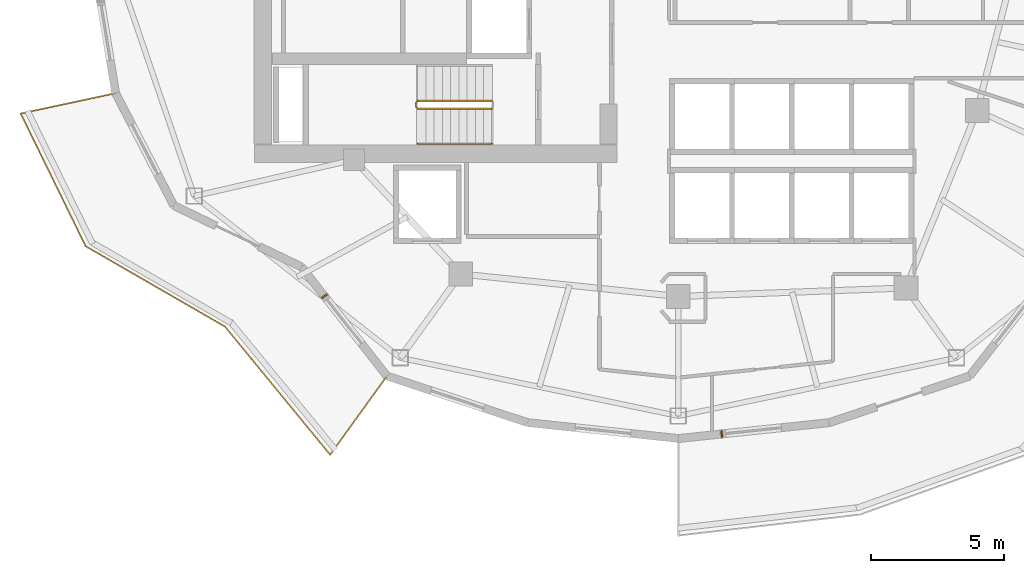
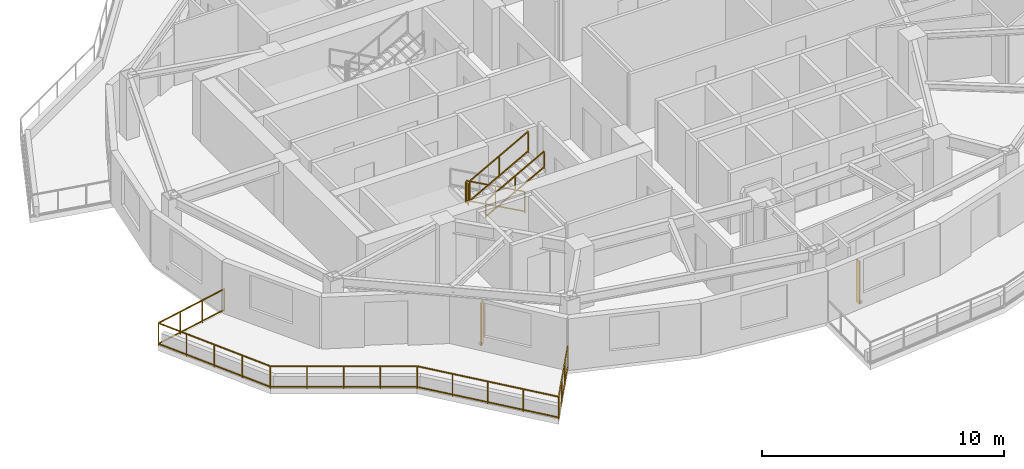
# One storey, part 10 of 13: 5 railings, 2 shading devices.
"""IFC4 building model written with IfcOpenShell, lengths in metres."""

from ifc_helpers import new_model, si_unit, direction, frame, origin, origin_2d, place, context, subcontext, project, spatial, rectangle, extrude, material, type_object, element, save


model = new_model("IFC4")

# Units and contexts
model_context = context("Model", 3, precision=1e-05, world=origin(), true_north=direction((0.0, 1.0)))
body_context = subcontext(model_context, "Body", "Model", "MODEL_VIEW")
ifc_project = project(units=[si_unit("LENGTHUNIT", "METRE"), si_unit("AREAUNIT", "SQUARE_METRE"), si_unit("VOLUMEUNIT", "CUBIC_METRE"), si_unit("PLANEANGLEUNIT", "RADIAN"), si_unit("MASSUNIT", "GRAM", prefix="KILO")], contexts=[model_context])

# Site, building, storey
site_placement = place(None, origin())
site = spatial("IfcSite", under=ifc_project, at=site_placement, CompositionType="ELEMENT")
building_placement = place(site_placement, origin())
building = spatial("IfcBuilding", under=site, at=building_placement, Name="Kolvaren Gate Tower and Convention Centre", CompositionType="ELEMENT")
storey_placement = place(building_placement, frame((0.0, 0.0, 183.5)))
storey = spatial("IfcBuildingStorey", under=building, at=storey_placement, Name="L48", CompositionType="ELEMENT", Elevation=183.5)

# Railings
ifc_material_1 = material(Name="Brushed Stainless Steel Grade 316L", Category="steel")
railing_type_1 = type_object("IfcRailingType", Name="ARCH-RL-GUARD-1150", PredefinedType="GUARDRAIL", material=ifc_material_1)
railing_1_placement = place(storey_placement, frame((23.10009765625, 22.169921875, 0.169921875)))
element("IfcRailing", 1, at=railing_1_placement, inside=storey, type_object=railing_type_1, Name="L48 ST-T2 stair guard 1", PredefinedType="GUARDRAIL", context=body_context, shape_type="SweptSolid", body=[
    extrude(rectangle(XDim=0.048095703125, YDim=0.048095703125, at=origin_2d()), frame((0.0, 0.0, 1.076171875), z_axis=(-0.876811365212, 0.0, 0.480834513982), x_axis=(0.0, -1.0, 0.0)), (0.0, 0.0, 1.0), 3.18212890625),
    extrude(rectangle(XDim=0.048095703125, YDim=0.048095703125, at=origin_2d()), frame((0.0, 0.0, 0.083984375), z_axis=(-0.876811365212, 0.0, 0.480834513982), x_axis=(0.0, -1.0, 0.0)), (0.0, 0.0, 1.0), 3.18212890625),
    extrude(rectangle(XDim=0.0419921875, YDim=0.0419921875, at=origin_2d()), origin(), (0.0, 0.0, 1.0), 1.050048828125),
    extrude(rectangle(XDim=0.0419921875, YDim=0.0419921875, at=origin_2d()), frame((-2.7900390625, 0.0, 1.530029296875)), (0.0, 0.0, 1.0), 1.050048828125),
    extrude(rectangle(XDim=0.0419921875, YDim=0.0419921875, at=origin_2d()), frame((-1.39501953125, 0.0, 0.76513671875)), (0.0, 0.0, 1.0), 1.050048828125),
])
railing_2_placement = place(storey_placement, frame((20.260009765625, 22.1201171875, 1.699951171875)))
element("IfcRailing", 2, at=railing_2_placement, inside=storey, type_object=railing_type_1, Name="L48 ST-T2 stair guard 2", PredefinedType="GUARDRAIL", context=body_context, shape_type="SweptSolid", body=[
    extrude(rectangle(XDim=0.048095703125, YDim=0.048095703125, at=origin_2d()), frame((0.0, 0.0, 1.076171875), z_axis=(0.0, -1.0, 0.0), x_axis=(1.0, 0.0, 0.0)), (0.0, 0.0, 1.0), 0.2001953125),
    extrude(rectangle(XDim=0.048095703125, YDim=0.048095703125, at=origin_2d()), frame((0.0, 0.0, 0.083984375), z_axis=(0.0, -1.0, 0.0), x_axis=(1.0, 0.0, 0.0)), (0.0, 0.0, 1.0), 0.2001953125),
    extrude(rectangle(XDim=0.0419921875, YDim=0.0419921875, at=origin_2d()), origin(), (0.0, 0.0, 1.0), 1.050048828125),
    extrude(rectangle(XDim=0.0419921875, YDim=0.0419921875, at=origin_2d()), frame((0.0, -0.2001953125, 0.0)), (0.0, 0.0, 1.0), 1.050048828125),
])
railing_3_placement = place(storey_placement, frame((20.31005859375, 21.8701171875, 1.8701171875)))
element("IfcRailing", 3, at=railing_3_placement, inside=storey, type_object=railing_type_1, Name="L48 ST-T2 stair guard 3", PredefinedType="GUARDRAIL", context=body_context, shape_type="SweptSolid", body=[
    extrude(rectangle(XDim=0.048095703125, YDim=0.048095703125, at=origin_2d()), frame((0.0, 0.0, 1.076171875), z_axis=(0.876843711699, 0.0, 0.480775524808), x_axis=(0.0, 1.0, 0.0)), (0.0, 0.0, 1.0), 3.181884765625),
    extrude(rectangle(XDim=0.048095703125, YDim=0.048095703125, at=origin_2d()), frame((0.0, 0.0, 0.083984375), z_axis=(0.876843711699, 0.0, 0.480775524808), x_axis=(0.0, 1.0, 0.0)), (0.0, 0.0, 1.0), 3.181884765625),
    extrude(rectangle(XDim=0.0419921875, YDim=0.0419921875, at=origin_2d()), origin(), (0.0, 0.0, 1.0), 1.050048828125),
    extrude(rectangle(XDim=0.0419921875, YDim=0.0419921875, at=origin_2d()), frame((2.7900390625, 0.0, 1.52978515625)), (0.0, 0.0, 1.0), 1.050048828125),
    extrude(rectangle(XDim=0.0419921875, YDim=0.0419921875, at=origin_2d()), frame((1.39501953125, 0.0, 0.764892578125)), (0.0, 0.0, 1.0), 1.050048828125),
])
railing_4_placement = place(storey_placement, frame((8.93505859375, 22.457763671875, 0.0)))
element("IfcRailing", 4, at=railing_4_placement, inside=storey, type_object=railing_type_1, Name="Tower L48 Terrace Perimeter Guardrail GR-2", PredefinedType="GUARDRAIL", context=body_context, shape_type="SweptSolid", body=[
    extrude(rectangle(XDim=0.048095703125, YDim=0.048095703125, at=origin_2d()), frame((-0.02734375, -0.005859375, 1.1259765625), z_axis=(-0.977791675321, -0.209579196661, 0.0), x_axis=(0.209579196661, -0.977791675321, 0.0)), (0.0, 0.0, 1.0), 3.60400390625),
    extrude(rectangle(XDim=0.048095703125, YDim=0.048095703125, at=origin_2d()), frame((-0.02734375, -0.005859375, 0.083984375), z_axis=(-0.977791675321, -0.209579196661, 0.0), x_axis=(0.209579196661, -0.977791675321, 0.0)), (0.0, 0.0, 1.0), 3.60400390625),
    extrude(rectangle(XDim=0.048095703125, YDim=0.048095703125, at=origin_2d()), frame((-3.56640625, -0.792236328125, 1.1259765625), z_axis=(0.439655234701, -0.898166618507, 0.0), x_axis=(0.898166618507, 0.439655234701, 0.0)), (0.0, 0.0, 1.0), 5.51123046875),
    extrude(rectangle(XDim=0.048095703125, YDim=0.048095703125, at=origin_2d()), frame((-3.56640625, -0.792236328125, 0.083984375), z_axis=(0.439655234701, -0.898166618507, 0.0), x_axis=(0.898166618507, 0.439655234701, 0.0)), (0.0, 0.0, 1.0), 5.51123046875),
    extrude(rectangle(XDim=0.048095703125, YDim=0.048095703125, at=origin_2d()), frame((-1.10693359375, -5.781494140625, 1.1259765625), z_axis=(0.866075571306, -0.499913097234, 0.0), x_axis=(0.499913097234, 0.866075571306, 0.0)), (0.0, 0.0, 1.0), 6.004150390625),
    extrude(rectangle(XDim=0.048095703125, YDim=0.048095703125, at=origin_2d()), frame((-1.10693359375, -5.781494140625, 0.083984375), z_axis=(0.866075571306, -0.499913097234, 0.0), x_axis=(0.499913097234, 0.866075571306, 0.0)), (0.0, 0.0, 1.0), 6.004150390625),
    extrude(rectangle(XDim=0.048095703125, YDim=0.048095703125, at=origin_2d()), frame((4.13525390625, -8.81884765625, 1.1259765625), z_axis=(0.634429234628, -0.77298094818, 0.0), x_axis=(0.77298094818, 0.634429234628, 0.0)), (0.0, 0.0, 1.0), 6.188720703125),
    extrude(rectangle(XDim=0.048095703125, YDim=0.048095703125, at=origin_2d()), frame((4.13525390625, -8.81884765625, 0.083984375), z_axis=(0.634429234628, -0.77298094818, 0.0), x_axis=(0.77298094818, 0.634429234628, 0.0)), (0.0, 0.0, 1.0), 6.188720703125),
    extrude(rectangle(XDim=0.048095703125, YDim=0.048095703125, at=origin_2d()), frame((8.095703125, -13.6015625, 1.1259765625), z_axis=(0.585212870465, 0.810879705161, 0.0), x_axis=(-0.810879705161, 0.585212870465, 0.0)), (0.0, 0.0, 1.0), 3.603759765625),
    extrude(rectangle(XDim=0.048095703125, YDim=0.048095703125, at=origin_2d()), frame((8.095703125, -13.6015625, 0.083984375), z_axis=(0.585212870465, 0.810879705161, 0.0), x_axis=(-0.810879705161, 0.585212870465, 0.0)), (0.0, 0.0, 1.0), 3.603759765625),
    extrude(rectangle(XDim=0.0419921875, YDim=0.0419921875, at=origin_2d()), origin(), (0.0, 0.0, 1.0), 1.14990234375),
    extrude(rectangle(XDim=0.0419921875, YDim=0.0419921875, at=origin_2d()), frame((-3.578857421875, -0.76708984375, 0.0)), (0.0, 0.0, 1.0), 1.14990234375),
    extrude(rectangle(XDim=0.0419921875, YDim=0.0419921875, at=origin_2d()), frame((-1.19287109375, -0.255615234375, 0.0)), (0.0, 0.0, 1.0), 1.099853515625),
    extrude(rectangle(XDim=0.0419921875, YDim=0.0419921875, at=origin_2d()), frame((-2.385986328125, -0.511474609375, 0.0)), (0.0, 0.0, 1.0), 1.099853515625),
    extrude(rectangle(XDim=0.0419921875, YDim=0.0419921875, at=origin_2d()), frame((-1.131103515625, -5.767578125, 0.0)), (0.0, 0.0, 1.0), 1.14990234375),
    extrude(rectangle(XDim=0.0419921875, YDim=0.0419921875, at=origin_2d()), frame((-2.966796875, -2.01708984375, 0.0)), (0.0, 0.0, 1.0), 1.099853515625),
    extrude(rectangle(XDim=0.0419921875, YDim=0.0419921875, at=origin_2d()), frame((-2.35498046875, -3.267333984375, 0.0)), (0.0, 0.0, 1.0), 1.099853515625),
    extrude(rectangle(XDim=0.0419921875, YDim=0.0419921875, at=origin_2d()), frame((-1.7431640625, -4.517578125, 0.0)), (0.0, 0.0, 1.0), 1.099853515625),
    extrude(rectangle(XDim=0.0419921875, YDim=0.0419921875, at=origin_2d()), frame((4.117431640625, -8.797119140625, 0.0)), (0.0, 0.0, 1.0), 1.14990234375),
    extrude(rectangle(XDim=0.0419921875, YDim=0.0419921875, at=origin_2d()), frame((0.18115234375, -6.52490234375, 0.0)), (0.0, 0.0, 1.0), 1.099853515625),
    extrude(rectangle(XDim=0.0419921875, YDim=0.0419921875, at=origin_2d()), frame((1.4931640625, -7.2822265625, 0.0)), (0.0, 0.0, 1.0), 1.099853515625),
    extrude(rectangle(XDim=0.0419921875, YDim=0.0419921875, at=origin_2d()), frame((2.80517578125, -8.039794921875, 0.0)), (0.0, 0.0, 1.0), 1.099853515625),
    extrude(rectangle(XDim=0.0419921875, YDim=0.0419921875, at=origin_2d()), frame((8.079345703125, -13.624267578125, 0.0)), (0.0, 0.0, 1.0), 1.14990234375),
    extrude(rectangle(XDim=0.0419921875, YDim=0.0419921875, at=origin_2d()), frame((5.10791015625, -10.00390625, 0.0)), (0.0, 0.0, 1.0), 1.099853515625),
    extrude(rectangle(XDim=0.0419921875, YDim=0.0419921875, at=origin_2d()), frame((6.098388671875, -11.210693359375, 0.0)), (0.0, 0.0, 1.0), 1.099853515625),
    extrude(rectangle(XDim=0.0419921875, YDim=0.0419921875, at=origin_2d()), frame((7.0888671875, -12.41748046875, 0.0)), (0.0, 0.0, 1.0), 1.099853515625),
    extrude(rectangle(XDim=0.0419921875, YDim=0.0419921875, at=origin_2d()), frame((10.22119140625, -10.656494140625, 0.0)), (0.0, 0.0, 1.0), 1.14990234375),
    extrude(rectangle(XDim=0.0419921875, YDim=0.0419921875, at=origin_2d()), frame((8.793212890625, -12.635009765625, 0.0)), (0.0, 0.0, 1.0), 1.099853515625),
    extrude(rectangle(XDim=0.0419921875, YDim=0.0419921875, at=origin_2d()), frame((9.50732421875, -11.645751953125, 0.0)), (0.0, 0.0, 1.0), 1.099853515625),
])
railing_type_2 = type_object("IfcRailingType", Name="ARCH-RL-HANDRAIL-920", PredefinedType="HANDRAIL", material=ifc_material_1)
railing_5_placement = place(storey_placement, frame((20.31005859375, 20.550048828125, 1.8701171875)))
element("IfcRailing", 5, at=railing_5_placement, inside=storey, type_object=railing_type_2, Name="L48 ST-T2 stair handrail 2", PredefinedType="HANDRAIL", context=body_context, shape_type="SweptSolid", body=[
    extrude(rectangle(XDim=0.048095703125, YDim=0.048095703125, at=origin_2d()), frame((0.0, 0.0, 0.8759765625), z_axis=(0.876843711699, 0.0, 0.480775524808), x_axis=(0.0, 1.0, 0.0)), (0.0, 0.0, 1.0), 3.181884765625),
    extrude(rectangle(XDim=0.048095703125, YDim=0.048095703125, at=origin_2d()), frame((0.0, 0.0, 0.083984375), z_axis=(0.876843711699, 0.0, 0.480775524808), x_axis=(0.0, 1.0, 0.0)), (0.0, 0.0, 1.0), 3.181884765625),
    extrude(rectangle(XDim=0.0419921875, YDim=0.0419921875, at=origin_2d()), origin(), (0.0, 0.0, 1.0), 0.849853515625),
    extrude(rectangle(XDim=0.0419921875, YDim=0.0419921875, at=origin_2d()), frame((2.7900390625, 0.0, 1.52978515625)), (0.0, 0.0, 1.0), 0.849853515625),
    extrude(rectangle(XDim=0.0419921875, YDim=0.0419921875, at=origin_2d()), frame((1.39501953125, 0.0, 0.764892578125)), (0.0, 0.0, 1.0), 0.849853515625),
])

# Shading devices
ifc_material_2 = material(Name="Kiln-Fired Bogota Terracotta Ceramic Louvre Profile", Category="masonry")
shading_device_type = type_object("IfcShadingDeviceType", Name="ARCH-SHD-FIN-180", PredefinedType="JALOUSIE", material=ifc_material_2)
for number, where, z_axis, x_axis, name in (
    (6, (16.80078125, 14.81005859375, 0.219970703125), (0.0, 0.0, 1.0), (0.616434119112, -0.787406487651, 0.0), "Ceramic Vertical Brise-Soleil Fin FN-L48-15"),
    (7, (31.760986328125, 9.622314453125, 0.219970703125), (0.0, 0.0, 1.0), (0.994499249941, 0.104743696069, 0.0), "Ceramic Vertical Brise-Soleil Fin FN-L48-18"),
):
    element("IfcShadingDevice", number, at=place(storey_placement, frame(where, z_axis=z_axis, x_axis=x_axis)), inside=storey, type_object=shading_device_type, Name=name, PredefinedType="JALOUSIE", context=body_context, shape_type="SweptSolid", body=[
        extrude(rectangle(XDim=0.06005859375, YDim=0.239990234375, at=origin_2d()), origin(), (0.0, 0.0, 1.0), 2.14990234375),
    ])

save(model, "model.ifc")
